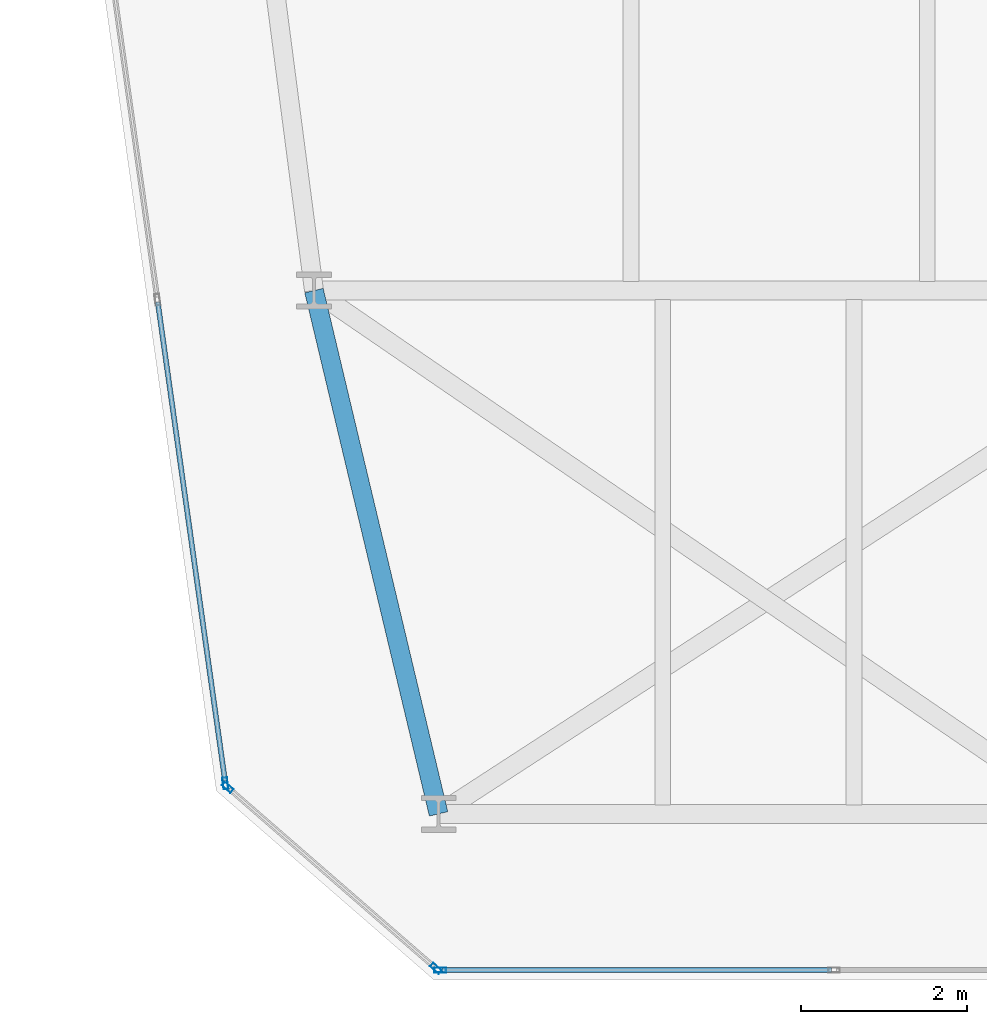
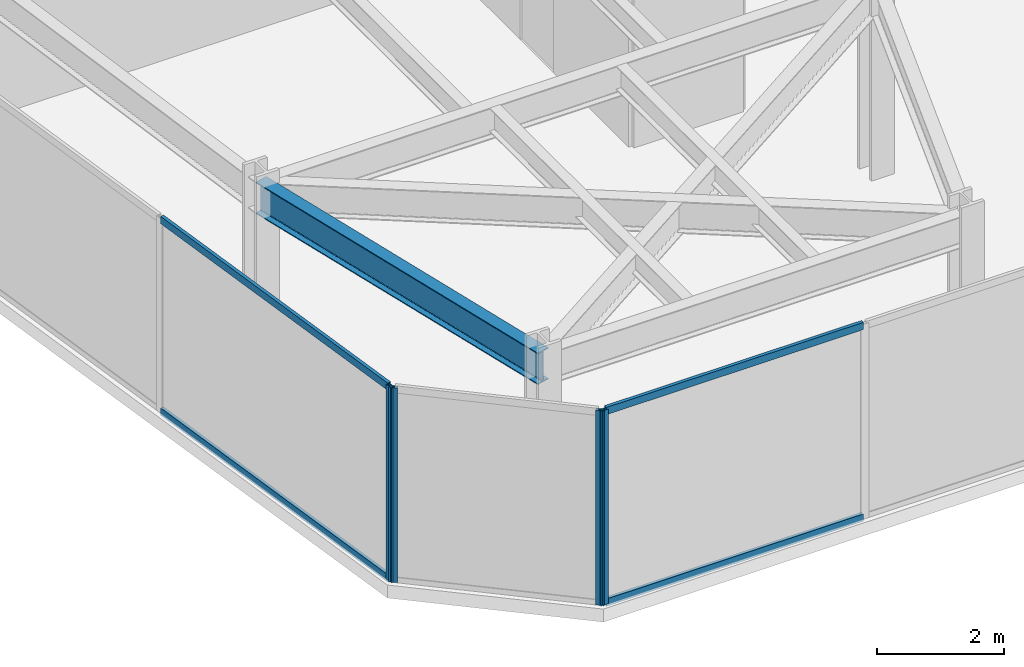
# One storey, part 2 of 26: 8 members, 1 beam, 3 elements without a shape of their own.
"""IFC4 building model written with IfcOpenShell, lengths in metres."""

from ifc_helpers import new_model, si_unit, direction, frame, origin, origin_2d, place, context, subcontext, project, spatial, hollow_rectangle, i_section, extrude, material, layer, layer_set, material_profile, profile_set, type_object, element, aggregate, save


model = new_model("IFC4")

# Units and contexts
model_context = context("Model", 3, precision=1e-05, world=origin(), true_north=direction((0.0, 1.0)))
body_context = subcontext(model_context, "Body", "Model", "MODEL_VIEW")
ifc_project = project(units=[si_unit("LENGTHUNIT", "METRE"), si_unit("AREAUNIT", "SQUARE_METRE"), si_unit("VOLUMEUNIT", "CUBIC_METRE"), si_unit("PLANEANGLEUNIT", "RADIAN"), si_unit("MASSUNIT", "GRAM", prefix="KILO")], contexts=[model_context])

# Site, building, storey
site_placement = place(None, origin())
site = spatial("IfcSite", under=ifc_project, at=site_placement, CompositionType="ELEMENT")
building_placement = place(site_placement, origin())
building = spatial("IfcBuilding", under=site, at=building_placement, Name="Kravanh Interchange Tower", CompositionType="ELEMENT")
storey_placement = place(building_placement, frame((0.0, 0.0, 140.0)))
storey = spatial("IfcBuildingStorey", under=building, at=storey_placement, Name="L33", CompositionType="ELEMENT", Elevation=140.0)

# Curtain wall, member
ifc_material_1 = material(Name="Anodised Bronze Aluminium", Category="aluminium")
ifc_layer = layer(ifc_material_1, 0.179931640625)
ifc_layer_set = layer_set([ifc_layer], Name="Unitised Curtain Wall System CW-Z2 Mid Office")
curtain_wall_type = type_object("IfcCurtainWallType", Name="Unitised Curtain Wall System CW-Z2 Mid Office", PredefinedType="NOTDEFINED", material=ifc_layer_set)
curtain_wall_1_placement = place(storey_placement, origin())
curtain_wall_1 = element("IfcCurtainWall", 1, at=curtain_wall_1_placement, inside=storey, type_object=curtain_wall_type, Name="L33 Unitised Curtain Wall CW-L33-01", PredefinedType="NOTDEFINED")
ifc_material_2 = material(Name="Anodised Bronze Aluminium", Category="aluminium")
ifc_material_profile_1 = material_profile(ifc_material_2, hollow_rectangle(XDim=0.06005859375, YDim=0.139892578125, WallThickness=0.00390625, at=origin_2d()), Name="ALU60X140X4")
ifc_profile_set_1 = profile_set([ifc_material_profile_1], Name="Anodised Bronze Aluminium")
member_type_1 = type_object("IfcMemberType", Name="Curtain Wall Mullion ALU60X140X4 Bronze", PredefinedType="MULLION", material=ifc_profile_set_1)
member_1_placement = place(storey_placement, frame((14.93310546875, 8.568359375, 0.0), z_axis=(0.0, 0.0, 1.0), x_axis=(-0.990268103846, -0.13917285118, 0.0)))
member_1 = element("IfcMember", 2, at=member_1_placement, type_object=member_type_1, Name="CW-Z2 mullion 1", PredefinedType="MULLION", context=body_context, shape_type="SweptSolid", body=[
    extrude(hollow_rectangle(XDim=0.06005859375, YDim=0.139892578125, WallThickness=0.00390625, at=origin_2d()), origin(), (0.0, 0.0, 1.0), 3.75),
])

curtain_wall_2_placement = place(storey_placement, origin())
curtain_wall_2 = element("IfcCurtainWall", 3, at=curtain_wall_2_placement, inside=storey, type_object=curtain_wall_type, Name="L33 Unitised Curtain Wall CW-L33-06", PredefinedType="NOTDEFINED")
member_2_placement = place(storey_placement, frame((17.519775390625, 6.320068359375, 0.0), z_axis=(0.0, 0.0, 1.0), x_axis=(0.0, -1.0, 0.0)))
member_2 = element("IfcMember", 4, at=member_2_placement, type_object=member_type_1, Name="CW-Z2 mullion 3", PredefinedType="MULLION", context=body_context, shape_type="SweptSolid", body=[
    extrude(hollow_rectangle(XDim=0.06005859375, YDim=0.139892578125, WallThickness=0.00390625, at=origin_2d()), origin(), (0.0, 0.0, 1.0), 3.75),
])

# Curtain wall, members
curtain_wall_3_placement = place(storey_placement, origin())
curtain_wall_3 = element("IfcCurtainWall", 5, at=curtain_wall_3_placement, inside=storey, type_object=curtain_wall_type, Name="L33 Unitised Curtain Wall CW-L33-07", PredefinedType="NOTDEFINED")
member_3_placement = place(storey_placement, frame((17.467041015625, 6.339599609375, 0.0), z_axis=(0.0, 0.0, 1.0), x_axis=(-0.656047665617, -0.754719458103, 0.0)))
member_3 = element("IfcMember", 6, at=member_3_placement, type_object=member_type_1, Name="CW-Z2 mullion 1", PredefinedType="MULLION", context=body_context, shape_type="SweptSolid", body=[
    extrude(hollow_rectangle(XDim=0.06005859375, YDim=0.139892578125, WallThickness=0.00390625, at=origin_2d()), origin(), (0.0, 0.0, 1.0), 3.75),
])
member_4_placement = place(storey_placement, frame((14.9599609375, 8.51904296875, 0.0), z_axis=(0.0, 0.0, 1.0), x_axis=(-0.656047665617, -0.754719458103, 0.0)))
member_4 = element("IfcMember", 7, at=member_4_placement, type_object=member_type_1, Name="CW-Z2 mullion 2", PredefinedType="MULLION", context=body_context, shape_type="SweptSolid", body=[
    extrude(hollow_rectangle(XDim=0.06005859375, YDim=0.139892578125, WallThickness=0.00390625, at=origin_2d()), origin(), (0.0, 0.0, 1.0), 3.75),
])
aggregate(curtain_wall_3, [member_3, member_4])

# Member
ifc_material_3 = material(Name="Anodised Bronze Aluminium", Category="aluminium")
ifc_material_profile_2 = material_profile(ifc_material_3, hollow_rectangle(XDim=0.06005859375, YDim=0.139892578125, WallThickness=0.00390625, at=origin_2d()), Name="ALU60X140X4")
ifc_profile_set_2 = profile_set([ifc_material_profile_2], Name="Anodised Bronze Aluminium")
member_type_2 = type_object("IfcMemberType", Name="Curtain Wall Transom ALU60X140X4 Bronze", PredefinedType="USERDEFINED", material=ifc_profile_set_2)
member_5_placement = place(storey_placement, frame((14.928955078125, 8.59814453125, 0.030029296875), z_axis=(-0.139148132783, 0.990271577469, 0.0), x_axis=(-0.990271577469, -0.139148132783, 0.0)))
member_5 = element("IfcMember", 8, at=member_5_placement, type_object=member_type_2, Name="CW-Z2 transom 1.1", ObjectType="TRANSOM", PredefinedType="USERDEFINED", context=body_context, shape_type="SweptSolid", body=[
    extrude(hollow_rectangle(XDim=0.06005859375, YDim=0.139892578125, WallThickness=0.00390625, at=origin_2d()), origin(), (0.0, 0.0, 1.0), 5.81982421875),
])

member_6_placement = place(storey_placement, frame((14.928955078125, 8.59814453125, 3.719970703125), z_axis=(-0.139148132783, 0.990271577469, 0.0), x_axis=(-0.990271577469, -0.139148132783, 0.0)))
member_6 = element("IfcMember", 9, at=member_6_placement, type_object=member_type_2, Name="CW-Z2 transom 1.2", ObjectType="TRANSOM", PredefinedType="USERDEFINED", context=body_context, shape_type="SweptSolid", body=[
    extrude(hollow_rectangle(XDim=0.06005859375, YDim=0.139892578125, WallThickness=0.00390625, at=origin_2d()), origin(), (0.0, 0.0, 1.0), 5.81982421875),
])

aggregate(curtain_wall_1, [member_1, member_5, member_6])

member_7_placement = place(storey_placement, frame((22.232177734375, 6.320068359375, 0.030029296875), z_axis=(-1.0, 0.0, 0.0), x_axis=(0.0, -1.0, 0.0)))
member_7 = element("IfcMember", 10, at=member_7_placement, type_object=member_type_2, Name="CW-Z2 transom 2.1", ObjectType="TRANSOM", PredefinedType="USERDEFINED", context=body_context, shape_type="SweptSolid", body=[
    extrude(hollow_rectangle(XDim=0.06005859375, YDim=0.139892578125, WallThickness=0.00390625, at=origin_2d()), origin(), (0.0, 0.0, 1.0), 4.682373046875),
])

member_8_placement = place(storey_placement, frame((22.232177734375, 6.320068359375, 3.719970703125), z_axis=(-1.0, 0.0, 0.0), x_axis=(0.0, -1.0, 0.0)))
member_8 = element("IfcMember", 11, at=member_8_placement, type_object=member_type_2, Name="CW-Z2 transom 2.2", ObjectType="TRANSOM", PredefinedType="USERDEFINED", context=body_context, shape_type="SweptSolid", body=[
    extrude(hollow_rectangle(XDim=0.06005859375, YDim=0.139892578125, WallThickness=0.00390625, at=origin_2d()), origin(), (0.0, 0.0, 1.0), 4.682373046875),
])

aggregate(curtain_wall_2, [member_2, member_7, member_8])

# Beam
ifc_material_4 = material(Name="Structural Steel S355", Category="steel")
ifc_material_profile_3 = material_profile(ifc_material_4, i_section(OverallWidth=0.22802734375, OverallDepth=0.60791015625, WebThickness=0.01123046875, FlangeThickness=0.017333984375, FilletRadius=0.02197265625, at=origin_2d()), Name="W24X76")
ifc_profile_set_3 = profile_set([ifc_material_profile_3], Name="Structural Steel S355")
beam_type = type_object("IfcBeamType", Name="Floor Spandrel W24X76 Structural Steel S355", PredefinedType="SPANDREL", material=ifc_profile_set_3)
beam_placement = place(storey_placement, frame((17.5, 8.199951171875, 3.446044921875), z_axis=(-0.231618828452, 0.972806619173, 0.0), x_axis=(-0.972806619173, -0.231618828452, 0.0)))
element("IfcBeam", 12, at=beam_placement, inside=storey, type_object=beam_type, Name="L33 Perimeter Spandrel 34", PredefinedType="SPANDREL", context=body_context, shape_type="SweptSolid", body=[
    extrude(i_section(OverallWidth=0.22802734375, OverallDepth=0.60791015625, WebThickness=0.01123046875, FlangeThickness=0.017333984375, FilletRadius=0.02197265625, at=origin_2d()), origin(), (0.0, 0.0, 1.0), 6.47607421875),
])

save(model, "model.ifc")
